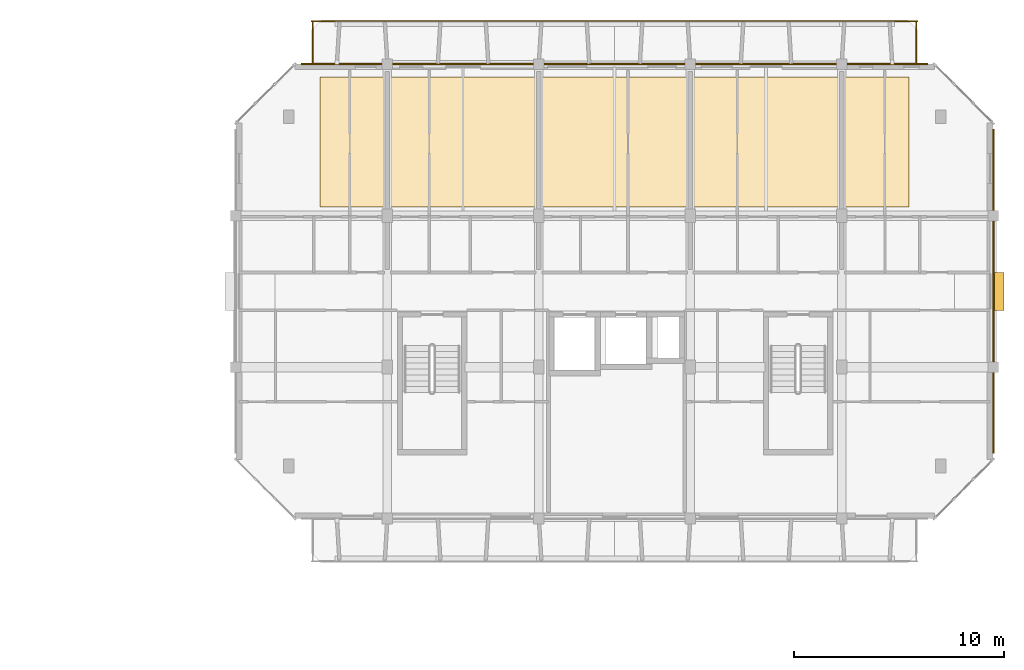
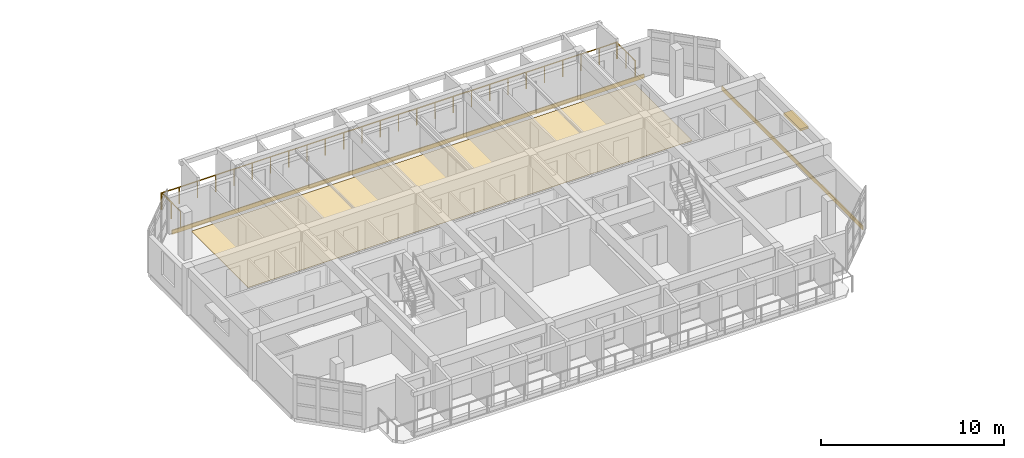
# One storey, part 40 of 40: 3 coverings, 3 railings, 1 shading device.
"""IFC4 building model written with IfcOpenShell, lengths in metres."""

import ifcopenshell
import ifcopenshell.guid

model = None  # the IFC model being written
_history = None  # IfcOwnerHistory: only IFC2X3 demands one
_inside = {}  # id of a spatial element -> (the spatial element, [elements in it])
_under = {}  # id of a project, library or spatial element -> (it, [spatial elements below it])
_declared = {}  # id of a project -> (the project, [libraries it declares])
_typed = {}  # id of a type object -> (the type object, [elements of that type])
_made_of = {}  # id of a material, layer set ... -> (it, [elements and type objects made of it])


def new_model(schema):
    """Start an empty IFC model of exactly this schema.

    Asked for "IFC4X3", IfcOpenShell would pick the latest addendum, in which some entities
    have other attributes; the version numbers below select the first issue.
    IFC2X3 requires an IfcOwnerHistory on every rooted entity: one is made here for all.
    """
    global model, _history
    if schema == "IFC4X3":
        model = ifcopenshell.file(schema_version=(4, 3, 0, 0))
    else:
        model = ifcopenshell.file(schema=schema)
    _inside.clear()
    _under.clear()
    _declared.clear()
    _typed.clear()
    _made_of.clear()
    _history = None
    if model.schema == "IFC2X3":
        org = make("IfcOrganization", Name="unknown")
        user = make(
            "IfcPersonAndOrganization",
            ThePerson=make("IfcPerson", FamilyName="unknown"),
            TheOrganization=org,
        )
        app = make(
            "IfcApplication",
            ApplicationDeveloper=org,
            Version="unknown",
            ApplicationFullName="unknown",
            ApplicationIdentifier="unknown",
        )
        _history = make(
            "IfcOwnerHistory",
            OwningUser=user,
            OwningApplication=app,
            ChangeAction="ADDED",
            CreationDate=0,
        )
    return model


def make(cls, **values):
    """One entity of the class cls with the attributes given. An attribute that is None is left unset."""
    return model.create_entity(
        cls, **{name: value for name, value in values.items() if value is not None}
    )


def rooted(cls, **values):
    """An entity with a GlobalId (a new one), such as an element, a storey or a relation."""
    return make(cls, GlobalId=ifcopenshell.guid.new(), OwnerHistory=_history, **values)


def si_unit(unit_type, name, prefix=None):
    """IfcSIUnit, for example si_unit("LENGTHUNIT", "METRE", prefix="MILLI")."""
    return make("IfcSIUnit", UnitType=unit_type, Prefix=prefix, Name=name)


def assignment(units):
    """IfcUnitAssignment: the units of a project."""
    return None if units is None else make("IfcUnitAssignment", Units=units)


def point(xyz):
    """IfcCartesianPoint."""
    return None if xyz is None else make("IfcCartesianPoint", Coordinates=xyz)


def direction(xyz):
    """IfcDirection."""
    return None if xyz is None else make("IfcDirection", DirectionRatios=xyz)


def frame(location, z_axis=None, x_axis=None):
    """IfcAxis2Placement3D, a coordinate frame: its origin and axes. An axis left out is left unset."""
    return make(
        "IfcAxis2Placement3D",
        Location=point(location),
        Axis=direction(z_axis),
        RefDirection=direction(x_axis),
    )


def frame_2d(location, x_axis=None):
    """IfcAxis2Placement2D, a coordinate frame in the plane: its origin and x axis."""
    return make(
        "IfcAxis2Placement2D", Location=point(location), RefDirection=direction(x_axis)
    )


def origin():
    """The frame at (0, 0, 0) with its axes left unset."""
    return frame((0.0, 0.0, 0.0))


def origin_2d():
    """The frame at (0, 0) in the plane with its x axis left unset."""
    return frame_2d((0.0, 0.0))


def place(relative_to, where):
    """IfcLocalPlacement: puts the frame where relative to a parent placement (None: the world)."""
    return make(
        "IfcLocalPlacement", PlacementRelTo=relative_to, RelativePlacement=where
    )


def context(
    kind, dimensions, precision=None, world=None, true_north=None, identifier=None
):
    """IfcGeometricRepresentationContext, for example the 3D "Model" context."""
    return make(
        "IfcGeometricRepresentationContext",
        ContextIdentifier=identifier,
        ContextType=kind,
        CoordinateSpaceDimension=dimensions,
        Precision=precision,
        WorldCoordinateSystem=world,
        TrueNorth=true_north,
    )


def subcontext(parent, identifier, kind, view, scale=None):
    """IfcGeometricRepresentationSubContext, for example "Body" below "Model"."""
    return make(
        "IfcGeometricRepresentationSubContext",
        ContextIdentifier=identifier,
        ContextType=kind,
        ParentContext=parent,
        TargetScale=scale,
        TargetView=view,
    )


def project(units=None, contexts=None):
    """IfcProject with its units and contexts."""
    return rooted(
        "IfcProject",
        Name="project",
        RepresentationContexts=contexts,
        UnitsInContext=assignment(units),
    )


def spatial(cls, under=None, at=None, **own):
    """A site, building, storey or space (cls), placed at a placement, below another one or the project."""
    s = rooted(cls, ObjectPlacement=at, **own)
    if under is not None:
        _under.setdefault(under.id(), (under, []))[1].append(s)
    return s


def polyline(points):
    """IfcPolyline through the points."""
    return make("IfcPolyline", Points=[point(p) for p in points])


def profile(cls, at=None, kind="AREA", **sizes):
    """A parametric profile (cls). Its sizes go by their IFC names, for example OverallWidth=200.0."""
    return make(cls, ProfileType=kind, Position=at, **sizes)


def rectangle(**sizes):
    """IfcRectangleProfileDef."""
    return profile("IfcRectangleProfileDef", **sizes)


def circle(**sizes):
    """IfcCircleProfileDef."""
    return profile("IfcCircleProfileDef", **sizes)


def outline(outer, holes=None, kind="AREA"):
    """IfcArbitraryClosedProfileDef: a profile drawn as a closed curve; with holes, ...WithVoids."""
    if holes is None:
        return make("IfcArbitraryClosedProfileDef", ProfileType=kind, OuterCurve=outer)
    return make(
        "IfcArbitraryProfileDefWithVoids",
        ProfileType=kind,
        OuterCurve=outer,
        InnerCurves=holes,
    )


def extrude(swept, where, along, depth):
    """IfcExtrudedAreaSolid: the profile swept, set in the frame where, extruded along a direction by depth."""
    return make(
        "IfcExtrudedAreaSolid",
        SweptArea=swept,
        Position=where,
        ExtrudedDirection=direction(along),
        Depth=depth,
    )


def shape(context_of_items, identifier, shape_type, items):
    """IfcShapeRepresentation: the items that make up one representation, for example the "Body"."""
    return make(
        "IfcShapeRepresentation",
        ContextOfItems=context_of_items,
        RepresentationIdentifier=identifier,
        RepresentationType=shape_type,
        Items=items,
    )


def material(Name=None, Category=None):
    """IfcMaterial."""
    return make("IfcMaterial", Name=Name, Category=Category)


def layer(
    of_material, thickness, ventilated=None, Name=None, Category=None, Priority=None
):
    """IfcMaterialLayer: one layer of a wall or slab, of a material (None: an air gap)."""
    return make(
        "IfcMaterialLayer",
        Material=of_material,
        LayerThickness=thickness,
        IsVentilated=ventilated,
        Name=Name,
        Category=Category,
        Priority=Priority,
    )


def layer_set(layers, Name=None):
    """IfcMaterialLayerSet."""
    return make("IfcMaterialLayerSet", MaterialLayers=layers, LayerSetName=Name)


def made_of(thing, what):
    """Note that an element or type object is made of a material, layer set ...; save() writes the relation."""
    if what is not None:
        _made_of.setdefault(what.id(), (what, []))[1].append(thing)
    return thing


def type_object(cls, material=None, **own):
    """A type object (cls), such as IfcWallType, which elements share."""
    return made_of(rooted(cls, **own), material)


def element(
    cls,
    number,
    at=None,
    inside=None,
    cuts=None,
    type_object=None,
    material=None,
    context=None,
    identifier="Body",
    shape_type=None,
    held_by="IfcProductDefinitionShape",
    body=None,
    shapes=None,
    **own,
):
    """One element of the class cls, such as IfcWall. Its Tag is "e" and its number.

    at: its placement. inside: the storey or other place that contains it. cuts: it is an
    opening in that element (IfcRelVoidsElement). A single representation is given by context,
    identifier, shape_type and body (its items); several are given by shapes. held_by: the class
    of the entity that holds the representations. save() writes the other relations.
    """
    e = rooted(cls, Tag="e%d" % number, ObjectPlacement=at, **own)
    if body is not None:
        shapes = [shape(context, identifier, shape_type, body)]
    if shapes is not None:
        e.Representation = make(held_by, Representations=shapes)
    if inside is not None:
        _inside.setdefault(inside.id(), (inside, []))[1].append(e)
    if cuts is not None:
        rooted(
            "IfcRelVoidsElement", RelatingBuildingElement=cuts, RelatedOpeningElement=e
        )
    if type_object is not None:
        _typed.setdefault(type_object.id(), (type_object, []))[1].append(e)
    return made_of(e, material)


def aggregate(whole, parts):
    """IfcRelAggregates: a whole, such as a stair, and the parts it consists of."""
    return rooted("IfcRelAggregates", RelatingObject=whole, RelatedObjects=parts)


def save(model, path):
    """Write the relations noted so far, then the file.

    IfcRelAggregates (storeys below a building ...), IfcRelContainedInSpatialStructure (elements
    in a storey), IfcRelDefinesByType, IfcRelAssociatesMaterial and IfcRelDeclares: one each for
    every whole, place, type object, material and project.
    """
    for whole, parts in _under.values():
        aggregate(whole, parts)
    for where, things in _inside.values():
        rooted(
            "IfcRelContainedInSpatialStructure",
            RelatedElements=things,
            RelatingStructure=where,
        )
    for kind, things in _typed.values():
        rooted("IfcRelDefinesByType", RelatedObjects=things, RelatingType=kind)
    for what, things in _made_of.values():
        rooted("IfcRelAssociatesMaterial", RelatedObjects=things, RelatingMaterial=what)
    for by, libraries in _declared.values():
        rooted("IfcRelDeclares", RelatingContext=by, RelatedDefinitions=libraries)
    model.write(path)


model = new_model("IFC4")

# Units and contexts
model_context = context("Model", 3, precision=1e-05, world=origin(), true_north=direction((0.0, 1.0)))
body_context = subcontext(model_context, "Body", "Model", "MODEL_VIEW")
ifc_project = project(units=[si_unit("LENGTHUNIT", "METRE"), si_unit("AREAUNIT", "SQUARE_METRE"), si_unit("VOLUMEUNIT", "CUBIC_METRE"), si_unit("PLANEANGLEUNIT", "RADIAN"), si_unit("MASSUNIT", "GRAM", prefix="KILO")], contexts=[model_context])

# Site, building, storey
site_placement = place(None, origin())
site = spatial("IfcSite", under=ifc_project, at=site_placement, CompositionType="ELEMENT")
building_placement = place(site_placement, origin())
building = spatial("IfcBuilding", under=site, at=building_placement, Name="Ochrevale Crest", CompositionType="ELEMENT")
storey_placement = place(building_placement, frame((0.0, 0.0, 27.60009765625)))
storey = spatial("IfcBuildingStorey", under=building, at=storey_placement, Name="L08", CompositionType="ELEMENT", Elevation=27.60009765625)

# Coverings
ifc_material_1 = material(Name="Glazed terracotta rainscreen tile", Category="masonry")
ifc_layer_1 = layer(ifc_material_1, 0.048095703125)
ifc_layer_set_1 = layer_set([ifc_layer_1], Name="Glazed terracotta rainscreen tile")
covering_type_1 = type_object("IfcCoveringType", Name="COV-CLAD-TER", PredefinedType="CLADDING", material=ifc_layer_set_1)
covering_1_placement = place(storey_placement, frame((165.614501953125, 82.800048828125, -0.26025390625), z_axis=(0.0, 0.0, 1.0), x_axis=(0.0, 1.0, 0.0)))
element("IfcCovering", 1, at=covering_1_placement, inside=storey, type_object=covering_type_1, Name="Block D L08 terracotta slab-edge spandrel cladding", PredefinedType="CLADDING", context=body_context, shape_type="SweptSolid", body=[
    extrude(rectangle(XDim=15.39990234375, YDim=0.06005859375, at=origin_2d()), origin(), (0.0, 0.0, 1.0), 0.280029296875),
])
covering_2_placement = place(storey_placement, frame((147.60009765625, 93.612548828125, -0.26025390625), z_axis=(0.0, 0.0, 1.0), x_axis=(-1.0, 0.0, 0.0)))
element("IfcCovering", 2, at=covering_2_placement, inside=storey, type_object=covering_type_1, Name="Block D L08 terracotta slab-edge spandrel cladding", PredefinedType="CLADDING", context=body_context, shape_type="SweptSolid", body=[
    extrude(rectangle(XDim=29.800048828125, YDim=0.06005859375, at=origin_2d()), origin(), (0.0, 0.0, 1.0), 0.280029296875),
])
ifc_material_2 = material(Name="Engineered spotted-gum hardwood flooring", Category="wood")
ifc_layer_2 = layer(ifc_material_2, 0.02001953125)
ifc_layer_set_2 = layer_set([ifc_layer_2], Name="Engineered spotted-gum hardwood flooring")
covering_type_2 = type_object("IfcCoveringType", Name="COV-FLR-TIM", PredefinedType="FLOORING", material=ifc_layer_set_2)
covering_3_placement = place(storey_placement, origin())
element("IfcCovering", 3, at=covering_3_placement, inside=storey, type_object=covering_type_2, Name="Block D L08 spotted-gum apartment flooring", PredefinedType="FLOORING", context=body_context, shape_type="SweptSolid", body=[
    extrude(outline(polyline([(133.60009765625, 86.800048828125), (161.60009765625, 86.800048828125), (161.60009765625, 93.0), (133.60009765625, 93.0), (133.60009765625, 86.800048828125)])), origin(), (0.0, 0.0, 1.0), 0.02001953125),
])

# Railings
ifc_material_3 = material(Name="Galvanised steel", Category="steel")
railing_type = type_object("IfcRailingType", Name="RL-BAL-1100", PredefinedType="BALUSTRADE", material=ifc_material_3)
railing_placement = place(storey_placement, frame((133.199951171875, 95.639892578125, 0.0)))
element("IfcRailing", 4, at=railing_placement, inside=storey, type_object=railing_type, Name="Block D L08 N balcony front balustrade", PredefinedType="BALUSTRADE", context=body_context, shape_type="SweptSolid", body=[
    extrude(circle(Radius=0.02392578125, at=origin_2d()), frame((0.0, 0.0, 1.0859375), z_axis=(1.0, 0.0, 0.0), x_axis=(0.0, 1.0, 0.0)), (0.0, 0.0, 1.0), 28.800048828125),
    extrude(circle(Radius=0.02099609375, at=origin_2d()), origin(), (0.0, 0.0, 1.0), 1.06201171875),
    extrude(circle(Radius=0.02099609375, at=origin_2d()), frame((1.152099609375, 0.0, 0.0)), (0.0, 0.0, 1.0), 1.06201171875),
    extrude(circle(Radius=0.02099609375, at=origin_2d()), frame((2.303955078125, 0.0, 0.0)), (0.0, 0.0, 1.0), 1.06201171875),
    extrude(circle(Radius=0.02099609375, at=origin_2d()), frame((3.4560546875, 0.0, 0.0)), (0.0, 0.0, 1.0), 1.06201171875),
    extrude(circle(Radius=0.02099609375, at=origin_2d()), frame((4.60791015625, 0.0, 0.0)), (0.0, 0.0, 1.0), 1.06201171875),
    extrude(circle(Radius=0.02099609375, at=origin_2d()), frame((5.760009765625, 0.0, 0.0)), (0.0, 0.0, 1.0), 1.06201171875),
    extrude(circle(Radius=0.02099609375, at=origin_2d()), frame((6.912109375, 0.0, 0.0)), (0.0, 0.0, 1.0), 1.06201171875),
    extrude(circle(Radius=0.02099609375, at=origin_2d()), frame((8.06396484375, 0.0, 0.0)), (0.0, 0.0, 1.0), 1.06201171875),
    extrude(circle(Radius=0.02099609375, at=origin_2d()), frame((9.216064453125, 0.0, 0.0)), (0.0, 0.0, 1.0), 1.06201171875),
    extrude(circle(Radius=0.02099609375, at=origin_2d()), frame((10.367919921875, 0.0, 0.0)), (0.0, 0.0, 1.0), 1.06201171875),
    extrude(circle(Radius=0.02099609375, at=origin_2d()), frame((11.52001953125, 0.0, 0.0)), (0.0, 0.0, 1.0), 1.06201171875),
    extrude(circle(Radius=0.02099609375, at=origin_2d()), frame((12.672119140625, 0.0, 0.0)), (0.0, 0.0, 1.0), 1.06201171875),
    extrude(circle(Radius=0.02099609375, at=origin_2d()), frame((13.823974609375, 0.0, 0.0)), (0.0, 0.0, 1.0), 1.06201171875),
    extrude(circle(Radius=0.02099609375, at=origin_2d()), frame((14.97607421875, 0.0, 0.0)), (0.0, 0.0, 1.0), 1.06201171875),
    extrude(circle(Radius=0.02099609375, at=origin_2d()), frame((16.1279296875, 0.0, 0.0)), (0.0, 0.0, 1.0), 1.06201171875),
    extrude(circle(Radius=0.02099609375, at=origin_2d()), frame((17.280029296875, 0.0, 0.0)), (0.0, 0.0, 1.0), 1.06201171875),
    extrude(circle(Radius=0.02099609375, at=origin_2d()), frame((18.43212890625, 0.0, 0.0)), (0.0, 0.0, 1.0), 1.06201171875),
    extrude(circle(Radius=0.02099609375, at=origin_2d()), frame((19.583984375, 0.0, 0.0)), (0.0, 0.0, 1.0), 1.06201171875),
    extrude(circle(Radius=0.02099609375, at=origin_2d()), frame((20.736083984375, 0.0, 0.0)), (0.0, 0.0, 1.0), 1.06201171875),
    extrude(circle(Radius=0.02099609375, at=origin_2d()), frame((21.887939453125, 0.0, 0.0)), (0.0, 0.0, 1.0), 1.06201171875),
    extrude(circle(Radius=0.02099609375, at=origin_2d()), frame((23.0400390625, 0.0, 0.0)), (0.0, 0.0, 1.0), 1.06201171875),
    extrude(circle(Radius=0.02099609375, at=origin_2d()), frame((24.192138671875, 0.0, 0.0)), (0.0, 0.0, 1.0), 1.06201171875),
    extrude(circle(Radius=0.02099609375, at=origin_2d()), frame((25.343994140625, 0.0, 0.0)), (0.0, 0.0, 1.0), 1.06201171875),
    extrude(circle(Radius=0.02099609375, at=origin_2d()), frame((26.49609375, 0.0, 0.0)), (0.0, 0.0, 1.0), 1.06201171875),
    extrude(circle(Radius=0.02099609375, at=origin_2d()), frame((27.64794921875, 0.0, 0.0)), (0.0, 0.0, 1.0), 1.06201171875),
    extrude(circle(Radius=0.02099609375, at=origin_2d()), frame((28.800048828125, 0.0, 0.0)), (0.0, 0.0, 1.0), 1.06201171875),
])
for number, where, name in (
    (5, (133.260009765625, 93.60009765625, 0.0), "Block D L08 N-W balcony side guard"),
    (6, (161.93994140625, 93.60009765625, 0.0), "Block D L08 N-E balcony side guard"),
):
    element("IfcRailing", number, at=place(storey_placement, frame(where)), inside=storey, type_object=railing_type, Name=name, PredefinedType="BALUSTRADE", context=body_context, shape_type="SweptSolid", body=[
        extrude(circle(Radius=0.02392578125, at=origin_2d()), frame((0.0, 0.0, 1.0859375), z_axis=(0.0, 1.0, 0.0), x_axis=(-1.0, 0.0, 0.0)), (0.0, 0.0, 1.0), 2.039794921875),
        extrude(circle(Radius=0.02099609375, at=origin_2d()), origin(), (0.0, 0.0, 1.0), 1.06201171875),
        extrude(circle(Radius=0.02099609375, at=origin_2d()), frame((0.0, 1.02001953125, 0.0)), (0.0, 0.0, 1.0), 1.06201171875),
        extrude(circle(Radius=0.02099609375, at=origin_2d()), frame((0.0, 2.039794921875, 0.0)), (0.0, 0.0, 1.0), 1.06201171875),
    ])

# Shading device
ifc_material_4 = material(Name="Anodised aluminium 6063-T5", Category="aluminium")
shading_device_type = type_object("IfcShadingDeviceType", Name="SHD-SUNSHADE-OC", PredefinedType="USERDEFINED", material=ifc_material_4)
shading_device_placement = place(storey_placement, frame((165.840087890625, 82.800048828125, 2.2099609375), z_axis=(0.0, 0.0, 1.0), x_axis=(1.0, 0.0, 0.0)))
element("IfcShadingDevice", 7, at=shading_device_placement, inside=storey, type_object=shading_device_type, Name="Block D L08 gable window sunshade E", ObjectType="HORIZONTAL SUNSHADE", PredefinedType="USERDEFINED", context=body_context, shape_type="SweptSolid", body=[
    extrude(rectangle(XDim=0.550048828125, YDim=1.800048828125, at=origin_2d()), origin(), (0.0, 0.0, 1.0), 0.139892578125),
])

save(model, "model.ifc")
